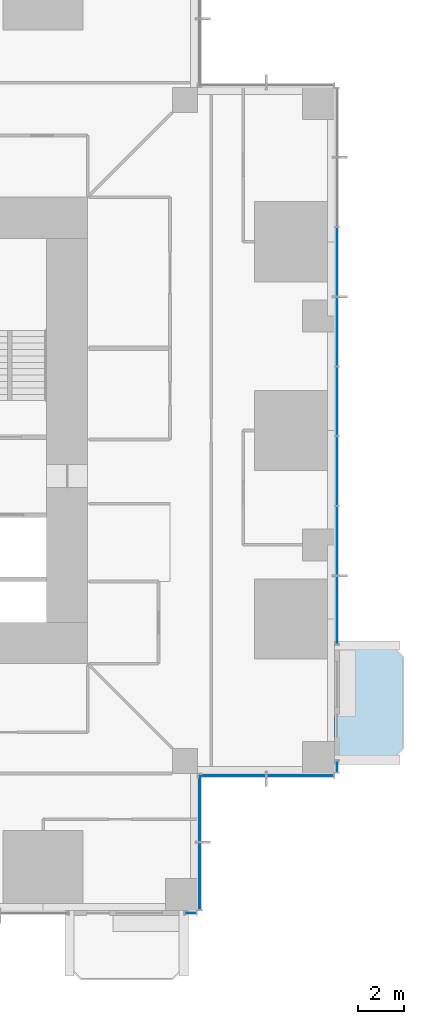
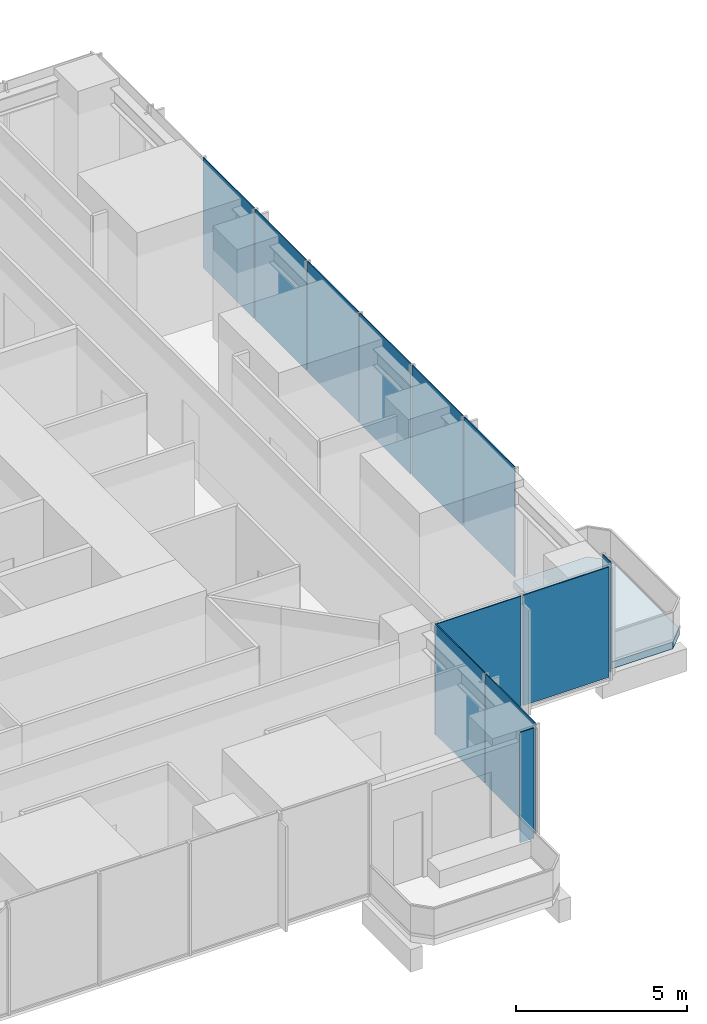
# One storey, part 8 of 15: 12 plates, 1 slab, 5 elements without a shape of their own.
"""IFC4 building model written with IfcOpenShell, lengths in metres."""

import ifcopenshell
import ifcopenshell.guid

model = None  # the IFC model being written
_history = None  # IfcOwnerHistory: only IFC2X3 demands one
_inside = {}  # id of a spatial element -> (the spatial element, [elements in it])
_under = {}  # id of a project, library or spatial element -> (it, [spatial elements below it])
_declared = {}  # id of a project -> (the project, [libraries it declares])
_typed = {}  # id of a type object -> (the type object, [elements of that type])
_made_of = {}  # id of a material, layer set ... -> (it, [elements and type objects made of it])


def new_model(schema):
    """Start an empty IFC model of exactly this schema.

    Asked for "IFC4X3", IfcOpenShell would pick the latest addendum, in which some entities
    have other attributes; the version numbers below select the first issue.
    IFC2X3 requires an IfcOwnerHistory on every rooted entity: one is made here for all.
    """
    global model, _history
    if schema == "IFC4X3":
        model = ifcopenshell.file(schema_version=(4, 3, 0, 0))
    else:
        model = ifcopenshell.file(schema=schema)
    _inside.clear()
    _under.clear()
    _declared.clear()
    _typed.clear()
    _made_of.clear()
    _history = None
    if model.schema == "IFC2X3":
        org = make("IfcOrganization", Name="unknown")
        user = make(
            "IfcPersonAndOrganization",
            ThePerson=make("IfcPerson", FamilyName="unknown"),
            TheOrganization=org,
        )
        app = make(
            "IfcApplication",
            ApplicationDeveloper=org,
            Version="unknown",
            ApplicationFullName="unknown",
            ApplicationIdentifier="unknown",
        )
        _history = make(
            "IfcOwnerHistory",
            OwningUser=user,
            OwningApplication=app,
            ChangeAction="ADDED",
            CreationDate=0,
        )
    return model


def make(cls, **values):
    """One entity of the class cls with the attributes given. An attribute that is None is left unset."""
    return model.create_entity(
        cls, **{name: value for name, value in values.items() if value is not None}
    )


def rooted(cls, **values):
    """An entity with a GlobalId (a new one), such as an element, a storey or a relation."""
    return make(cls, GlobalId=ifcopenshell.guid.new(), OwnerHistory=_history, **values)


def si_unit(unit_type, name, prefix=None):
    """IfcSIUnit, for example si_unit("LENGTHUNIT", "METRE", prefix="MILLI")."""
    return make("IfcSIUnit", UnitType=unit_type, Prefix=prefix, Name=name)


def assignment(units):
    """IfcUnitAssignment: the units of a project."""
    return None if units is None else make("IfcUnitAssignment", Units=units)


def point(xyz):
    """IfcCartesianPoint."""
    return None if xyz is None else make("IfcCartesianPoint", Coordinates=xyz)


def direction(xyz):
    """IfcDirection."""
    return None if xyz is None else make("IfcDirection", DirectionRatios=xyz)


def frame(location, z_axis=None, x_axis=None):
    """IfcAxis2Placement3D, a coordinate frame: its origin and axes. An axis left out is left unset."""
    return make(
        "IfcAxis2Placement3D",
        Location=point(location),
        Axis=direction(z_axis),
        RefDirection=direction(x_axis),
    )


def frame_2d(location, x_axis=None):
    """IfcAxis2Placement2D, a coordinate frame in the plane: its origin and x axis."""
    return make(
        "IfcAxis2Placement2D", Location=point(location), RefDirection=direction(x_axis)
    )


def origin():
    """The frame at (0, 0, 0) with its axes left unset."""
    return frame((0.0, 0.0, 0.0))


def origin_2d():
    """The frame at (0, 0) in the plane with its x axis left unset."""
    return frame_2d((0.0, 0.0))


def place(relative_to, where):
    """IfcLocalPlacement: puts the frame where relative to a parent placement (None: the world)."""
    return make(
        "IfcLocalPlacement", PlacementRelTo=relative_to, RelativePlacement=where
    )


def context(
    kind, dimensions, precision=None, world=None, true_north=None, identifier=None
):
    """IfcGeometricRepresentationContext, for example the 3D "Model" context."""
    return make(
        "IfcGeometricRepresentationContext",
        ContextIdentifier=identifier,
        ContextType=kind,
        CoordinateSpaceDimension=dimensions,
        Precision=precision,
        WorldCoordinateSystem=world,
        TrueNorth=true_north,
    )


def subcontext(parent, identifier, kind, view, scale=None):
    """IfcGeometricRepresentationSubContext, for example "Body" below "Model"."""
    return make(
        "IfcGeometricRepresentationSubContext",
        ContextIdentifier=identifier,
        ContextType=kind,
        ParentContext=parent,
        TargetScale=scale,
        TargetView=view,
    )


def project(units=None, contexts=None):
    """IfcProject with its units and contexts."""
    return rooted(
        "IfcProject",
        Name="project",
        RepresentationContexts=contexts,
        UnitsInContext=assignment(units),
    )


def spatial(cls, under=None, at=None, **own):
    """A site, building, storey or space (cls), placed at a placement, below another one or the project."""
    s = rooted(cls, ObjectPlacement=at, **own)
    if under is not None:
        _under.setdefault(under.id(), (under, []))[1].append(s)
    return s


def polyline(points):
    """IfcPolyline through the points."""
    return make("IfcPolyline", Points=[point(p) for p in points])


def profile(cls, at=None, kind="AREA", **sizes):
    """A parametric profile (cls). Its sizes go by their IFC names, for example OverallWidth=200.0."""
    return make(cls, ProfileType=kind, Position=at, **sizes)


def rectangle(**sizes):
    """IfcRectangleProfileDef."""
    return profile("IfcRectangleProfileDef", **sizes)


def outline(outer, holes=None, kind="AREA"):
    """IfcArbitraryClosedProfileDef: a profile drawn as a closed curve; with holes, ...WithVoids."""
    if holes is None:
        return make("IfcArbitraryClosedProfileDef", ProfileType=kind, OuterCurve=outer)
    return make(
        "IfcArbitraryProfileDefWithVoids",
        ProfileType=kind,
        OuterCurve=outer,
        InnerCurves=holes,
    )


def extrude(swept, where, along, depth):
    """IfcExtrudedAreaSolid: the profile swept, set in the frame where, extruded along a direction by depth."""
    return make(
        "IfcExtrudedAreaSolid",
        SweptArea=swept,
        Position=where,
        ExtrudedDirection=direction(along),
        Depth=depth,
    )


def shape(context_of_items, identifier, shape_type, items):
    """IfcShapeRepresentation: the items that make up one representation, for example the "Body"."""
    return make(
        "IfcShapeRepresentation",
        ContextOfItems=context_of_items,
        RepresentationIdentifier=identifier,
        RepresentationType=shape_type,
        Items=items,
    )


def material(Name=None, Category=None):
    """IfcMaterial."""
    return make("IfcMaterial", Name=Name, Category=Category)


def layer(
    of_material, thickness, ventilated=None, Name=None, Category=None, Priority=None
):
    """IfcMaterialLayer: one layer of a wall or slab, of a material (None: an air gap)."""
    return make(
        "IfcMaterialLayer",
        Material=of_material,
        LayerThickness=thickness,
        IsVentilated=ventilated,
        Name=Name,
        Category=Category,
        Priority=Priority,
    )


def layer_set(layers, Name=None):
    """IfcMaterialLayerSet."""
    return make("IfcMaterialLayerSet", MaterialLayers=layers, LayerSetName=Name)


def made_of(thing, what):
    """Note that an element or type object is made of a material, layer set ...; save() writes the relation."""
    if what is not None:
        _made_of.setdefault(what.id(), (what, []))[1].append(thing)
    return thing


def type_object(cls, material=None, **own):
    """A type object (cls), such as IfcWallType, which elements share."""
    return made_of(rooted(cls, **own), material)


def element(
    cls,
    number,
    at=None,
    inside=None,
    cuts=None,
    type_object=None,
    material=None,
    context=None,
    identifier="Body",
    shape_type=None,
    held_by="IfcProductDefinitionShape",
    body=None,
    shapes=None,
    **own,
):
    """One element of the class cls, such as IfcWall. Its Tag is "e" and its number.

    at: its placement. inside: the storey or other place that contains it. cuts: it is an
    opening in that element (IfcRelVoidsElement). A single representation is given by context,
    identifier, shape_type and body (its items); several are given by shapes. held_by: the class
    of the entity that holds the representations. save() writes the other relations.
    """
    e = rooted(cls, Tag="e%d" % number, ObjectPlacement=at, **own)
    if body is not None:
        shapes = [shape(context, identifier, shape_type, body)]
    if shapes is not None:
        e.Representation = make(held_by, Representations=shapes)
    if inside is not None:
        _inside.setdefault(inside.id(), (inside, []))[1].append(e)
    if cuts is not None:
        rooted(
            "IfcRelVoidsElement", RelatingBuildingElement=cuts, RelatedOpeningElement=e
        )
    if type_object is not None:
        _typed.setdefault(type_object.id(), (type_object, []))[1].append(e)
    return made_of(e, material)


def aggregate(whole, parts):
    """IfcRelAggregates: a whole, such as a stair, and the parts it consists of."""
    return rooted("IfcRelAggregates", RelatingObject=whole, RelatedObjects=parts)


def save(model, path):
    """Write the relations noted so far, then the file.

    IfcRelAggregates (storeys below a building ...), IfcRelContainedInSpatialStructure (elements
    in a storey), IfcRelDefinesByType, IfcRelAssociatesMaterial and IfcRelDeclares: one each for
    every whole, place, type object, material and project.
    """
    for whole, parts in _under.values():
        aggregate(whole, parts)
    for where, things in _inside.values():
        rooted(
            "IfcRelContainedInSpatialStructure",
            RelatedElements=things,
            RelatingStructure=where,
        )
    for kind, things in _typed.values():
        rooted("IfcRelDefinesByType", RelatedObjects=things, RelatingType=kind)
    for what, things in _made_of.values():
        rooted("IfcRelAssociatesMaterial", RelatedObjects=things, RelatingMaterial=what)
    for by, libraries in _declared.values():
        rooted("IfcRelDeclares", RelatingContext=by, RelatedDefinitions=libraries)
    model.write(path)


model = new_model("IFC4")

# Units and contexts
model_context = context("Model", 3, precision=1e-05, world=origin(), true_north=direction((0.0, 1.0)))
body_context = subcontext(model_context, "Body", "Model", "MODEL_VIEW")
ifc_project = project(units=[si_unit("LENGTHUNIT", "METRE"), si_unit("AREAUNIT", "SQUARE_METRE"), si_unit("VOLUMEUNIT", "CUBIC_METRE"), si_unit("PLANEANGLEUNIT", "RADIAN"), si_unit("MASSUNIT", "GRAM", prefix="KILO")], contexts=[model_context])

# Site, building, storey
site_placement = place(None, origin())
site = spatial("IfcSite", under=ifc_project, at=site_placement, CompositionType="ELEMENT")
building_placement = place(site_placement, origin())
building = spatial("IfcBuilding", under=site, at=building_placement, Name="Svetlomir Tower", CompositionType="ELEMENT")
storey_placement = place(building_placement, frame((0.0, 0.0, 66.5)))
storey = spatial("IfcBuildingStorey", under=building, at=storey_placement, Name="L15", CompositionType="ELEMENT", Elevation=66.5)

# Slab
ifc_material_1 = material(Name="Concrete C60/75", Category="concrete")
ifc_layer_1 = layer(ifc_material_1, 0.25)
ifc_layer_set_1 = layer_set([ifc_layer_1], Name="Concrete C60/75")
slab_type = type_object("IfcSlabType", Name="BALCONY SLAB 250", PredefinedType="FLOOR", material=ifc_layer_set_1)
slab_placement = place(storey_placement, frame((0.0, 0.0, -0.25)))
element("IfcSlab", 1, at=slab_placement, inside=storey, type_object=slab_type, Name="L15 E planted balcony", PredefinedType="FLOOR", context=body_context, shape_type="SweptSolid", body=[
    extrude(outline(polyline([(42.0, 6.60009765625), (44.5, 6.60009765625), (45.0, 7.10009765625), (45.0, 11.10009765625), (44.5, 11.60009765625), (42.0, 11.60009765625), (42.0, 6.60009765625)])), origin(), (0.0, 0.0, 1.0), 0.25),
])

# Curtain wall, plate
ifc_material_2 = material(Name="Bronze anodised aluminium curtain wall", Category="aluminium")
curtain_wall_type = type_object("IfcCurtainWallType", Name="CURTAIN WALL CW1 TOWER OFFICE", PredefinedType="NOTDEFINED", material=ifc_material_2)
curtain_wall_1_placement = place(storey_placement, origin())
curtain_wall_1 = element("IfcCurtainWall", 2, at=curtain_wall_1_placement, inside=storey, type_object=curtain_wall_type, Name="Curtain wall CW1 L15", PredefinedType="NOTDEFINED")
ifc_material_3 = material(Name="Tinted double glazed unit", Category="glass")
ifc_layer_2 = layer(ifc_material_3, 0.031982421875)
ifc_layer_set_2 = layer_set([ifc_layer_2], Name="Tinted double glazed unit")
plate_type = type_object("IfcPlateType", Name="CW1 GLAZED PANEL 32", PredefinedType="CURTAIN_PANEL", material=ifc_layer_set_2)
plate_1_placement = place(storey_placement, frame((35.699951171875, -0.10009765625, 0.06494140625), z_axis=(0.0, 0.0, 1.0), x_axis=(1.0, 0.0, 0.0)))
plate_1 = element("IfcPlate", 3, at=plate_1_placement, type_object=plate_type, Name="CW1 panel 1.1", PredefinedType="CURTAIN_PANEL", context=body_context, shape_type="SweptSolid", body=[
    extrude(rectangle(XDim=0.469970703125, YDim=0.031982421875, at=origin_2d()), origin(), (0.0, 0.0, 1.0), 3.93505859375),
])
aggregate(curtain_wall_1, [plate_1])

# Curtain wall, plates
curtain_wall_2_placement = place(storey_placement, origin())
curtain_wall_2 = element("IfcCurtainWall", 4, at=curtain_wall_2_placement, inside=storey, type_object=curtain_wall_type, Name="Curtain wall CW1 L15", PredefinedType="NOTDEFINED")
plate_2_placement = place(storey_placement, frame((36.10009765625, 1.516357421875, 0.06494140625), z_axis=(0.0, 0.0, 1.0), x_axis=(0.0, 1.0, 0.0)))
plate_2 = element("IfcPlate", 5, at=plate_2_placement, type_object=plate_type, Name="CW1 panel 1.1", PredefinedType="CURTAIN_PANEL", context=body_context, shape_type="SweptSolid", body=[
    extrude(rectangle(XDim=2.902587890625, YDim=0.031982421875, at=origin_2d()), origin(), (0.0, 0.0, 1.0), 3.93505859375),
])
plate_3_placement = place(storey_placement, frame((36.10009765625, 4.483642578125, 0.06494140625), z_axis=(0.0, 0.0, 1.0), x_axis=(0.0, 1.0, 0.0)))
plate_3 = element("IfcPlate", 6, at=plate_3_placement, type_object=plate_type, Name="CW1 panel 2.1", PredefinedType="CURTAIN_PANEL", context=body_context, shape_type="SweptSolid", body=[
    extrude(rectangle(XDim=2.902587890625, YDim=0.031982421875, at=origin_2d()), origin(), (0.0, 0.0, 1.0), 3.93505859375),
])
aggregate(curtain_wall_2, [plate_2, plate_3])

curtain_wall_3_placement = place(storey_placement, origin())
curtain_wall_3 = element("IfcCurtainWall", 7, at=curtain_wall_3_placement, inside=storey, type_object=curtain_wall_type, Name="Curtain wall CW1 L15", PredefinedType="NOTDEFINED")
plate_4_placement = place(storey_placement, frame((37.516357421875, 5.89990234375, 0.06494140625), z_axis=(0.0, 0.0, 1.0), x_axis=(1.0, 0.0, 0.0)))
plate_4 = element("IfcPlate", 8, at=plate_4_placement, type_object=plate_type, Name="CW1 panel 1.1", PredefinedType="CURTAIN_PANEL", context=body_context, shape_type="SweptSolid", body=[
    extrude(rectangle(XDim=2.902587890625, YDim=0.031982421875, at=origin_2d()), origin(), (0.0, 0.0, 1.0), 3.93505859375),
])
plate_5_placement = place(storey_placement, frame((40.483642578125, 5.89990234375, 0.06494140625), z_axis=(0.0, 0.0, 1.0), x_axis=(1.0, 0.0, 0.0)))
plate_5 = element("IfcPlate", 9, at=plate_5_placement, type_object=plate_type, Name="CW1 panel 2.1", PredefinedType="CURTAIN_PANEL", context=body_context, shape_type="SweptSolid", body=[
    extrude(rectangle(XDim=2.902587890625, YDim=0.031982421875, at=origin_2d()), origin(), (0.0, 0.0, 1.0), 3.93505859375),
])
aggregate(curtain_wall_3, [plate_4, plate_5])

# Curtain wall, plate
curtain_wall_4_placement = place(storey_placement, origin())
curtain_wall_4 = element("IfcCurtainWall", 10, at=curtain_wall_4_placement, inside=storey, type_object=curtain_wall_type, Name="Curtain wall CW1 L15", PredefinedType="NOTDEFINED")
plate_6_placement = place(storey_placement, frame((42.10009765625, 6.300048828125, 0.06494140625), z_axis=(0.0, 0.0, 1.0), x_axis=(0.0, 1.0, 0.0)))
plate_6 = element("IfcPlate", 11, at=plate_6_placement, type_object=plate_type, Name="CW1 panel 1.1", PredefinedType="CURTAIN_PANEL", context=body_context, shape_type="SweptSolid", body=[
    extrude(rectangle(XDim=0.469970703125, YDim=0.031982421875, at=origin_2d()), origin(), (0.0, 0.0, 1.0), 3.93505859375),
])
aggregate(curtain_wall_4, [plate_6])

# Curtain wall, plates
curtain_wall_5_placement = place(storey_placement, origin())
curtain_wall_5 = element("IfcCurtainWall", 12, at=curtain_wall_5_placement, inside=storey, type_object=curtain_wall_type, Name="Curtain wall CW1 L15", PredefinedType="NOTDEFINED")
plate_7_placement = place(storey_placement, frame((42.10009765625, 13.141357421875, 0.06494140625), z_axis=(0.0, 0.0, 1.0), x_axis=(0.0, 1.0, 0.0)))
plate_7 = element("IfcPlate", 13, at=plate_7_placement, type_object=plate_type, Name="CW1 panel 1.1", PredefinedType="CURTAIN_PANEL", context=body_context, shape_type="SweptSolid", body=[
    extrude(rectangle(XDim=2.952392578125, YDim=0.031982421875, at=origin_2d()), origin(), (0.0, 0.0, 1.0), 3.93505859375),
])
plate_8_placement = place(storey_placement, frame((42.10009765625, 16.175048828125, 0.06494140625), z_axis=(0.0, 0.0, 1.0), x_axis=(0.0, 1.0, 0.0)))
plate_8 = element("IfcPlate", 14, at=plate_8_placement, type_object=plate_type, Name="CW1 panel 2.1", PredefinedType="CURTAIN_PANEL", context=body_context, shape_type="SweptSolid", body=[
    extrude(rectangle(XDim=2.985107421875, YDim=0.031982421875, at=origin_2d()), origin(), (0.0, 0.0, 1.0), 3.93505859375),
])
plate_9_placement = place(storey_placement, frame((42.10009765625, 19.22509765625, 0.06494140625), z_axis=(0.0, 0.0, 1.0), x_axis=(0.0, 1.0, 0.0)))
plate_9 = element("IfcPlate", 15, at=plate_9_placement, type_object=plate_type, Name="CW1 panel 3.1", PredefinedType="CURTAIN_PANEL", context=body_context, shape_type="SweptSolid", body=[
    extrude(rectangle(XDim=2.985107421875, YDim=0.031982421875, at=origin_2d()), origin(), (0.0, 0.0, 1.0), 3.93505859375),
])
plate_10_placement = place(storey_placement, frame((42.10009765625, 22.27490234375, 0.06494140625), z_axis=(0.0, 0.0, 1.0), x_axis=(0.0, 1.0, 0.0)))
plate_10 = element("IfcPlate", 16, at=plate_10_placement, type_object=plate_type, Name="CW1 panel 4.1", PredefinedType="CURTAIN_PANEL", context=body_context, shape_type="SweptSolid", body=[
    extrude(rectangle(XDim=2.985107421875, YDim=0.031982421875, at=origin_2d()), origin(), (0.0, 0.0, 1.0), 3.93505859375),
])
plate_11_placement = place(storey_placement, frame((42.10009765625, 25.324951171875, 0.06494140625), z_axis=(0.0, 0.0, 1.0), x_axis=(0.0, 1.0, 0.0)))
plate_11 = element("IfcPlate", 17, at=plate_11_placement, type_object=plate_type, Name="CW1 panel 5.1", PredefinedType="CURTAIN_PANEL", context=body_context, shape_type="SweptSolid", body=[
    extrude(rectangle(XDim=2.985107421875, YDim=0.031982421875, at=origin_2d()), origin(), (0.0, 0.0, 1.0), 3.93505859375),
])
plate_12_placement = place(storey_placement, frame((42.10009765625, 28.375, 0.06494140625), z_axis=(0.0, 0.0, 1.0), x_axis=(0.0, 1.0, 0.0)))
plate_12 = element("IfcPlate", 18, at=plate_12_placement, type_object=plate_type, Name="CW1 panel 6.1", PredefinedType="CURTAIN_PANEL", context=body_context, shape_type="SweptSolid", body=[
    extrude(rectangle(XDim=2.985107421875, YDim=0.031982421875, at=origin_2d()), origin(), (0.0, 0.0, 1.0), 3.93505859375),
])
aggregate(curtain_wall_5, [plate_7, plate_8, plate_9, plate_10, plate_11, plate_12])

save(model, "model.ifc")
